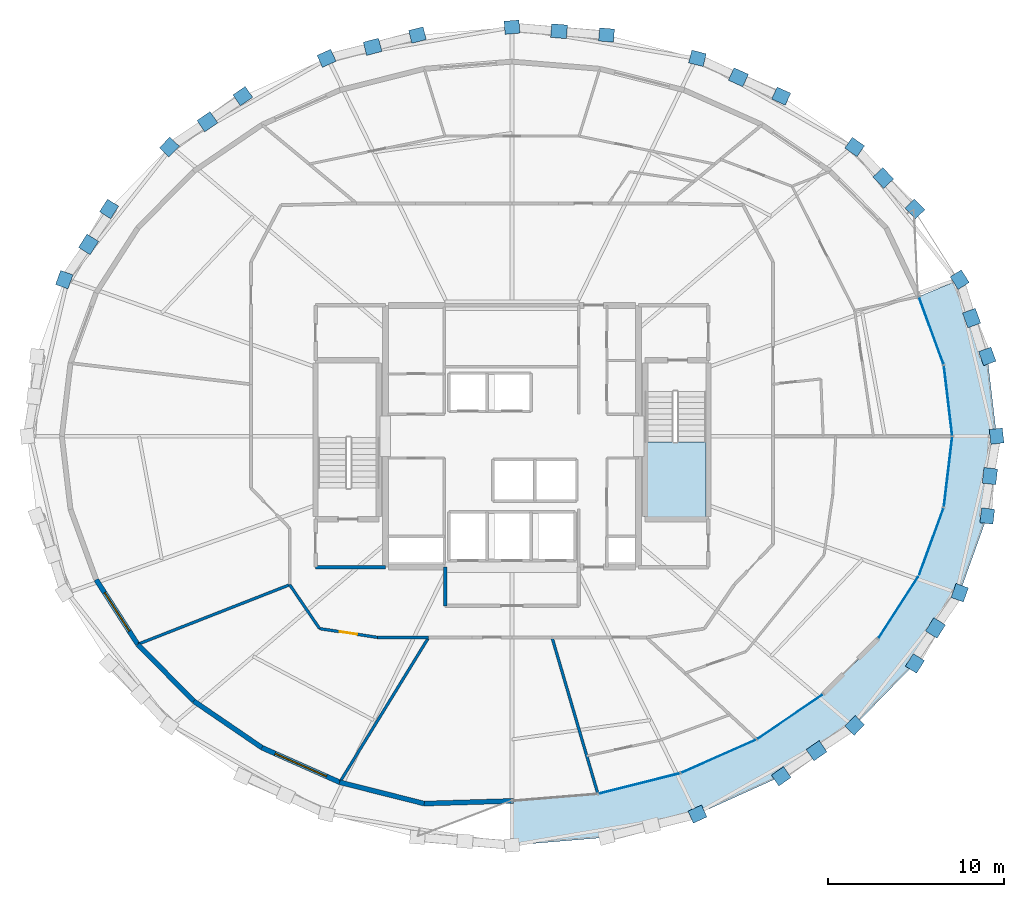
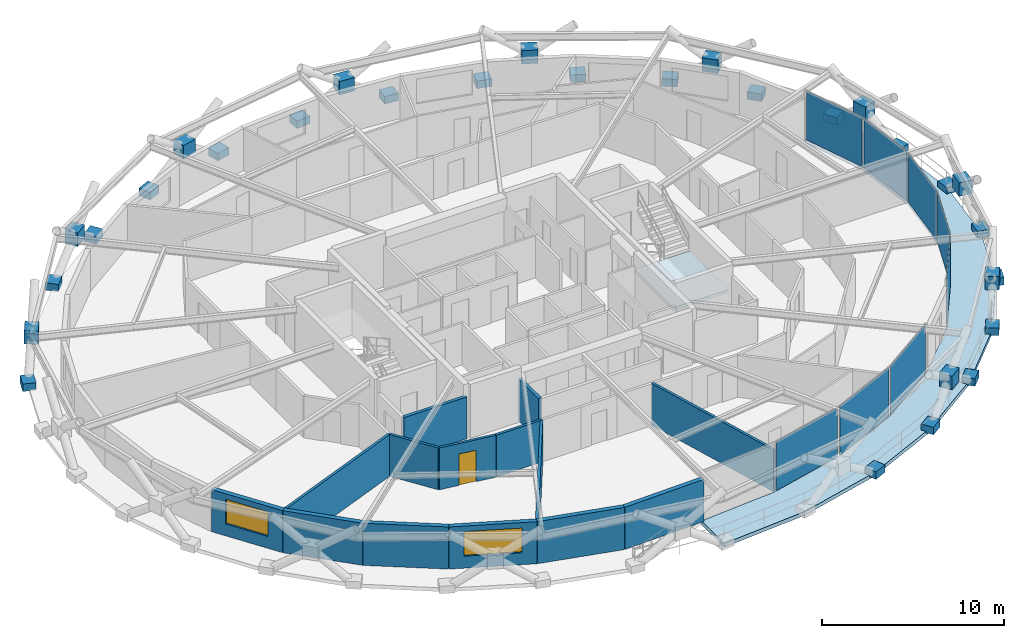
# One storey, part 10 of 15: 39 plates, 14 walls, 2 slabs, 2 windows, 1 door, 3 openings, 3 elements without a shape of their own.
"""IFC4 building model written with IfcOpenShell, lengths in metres."""

from ifc_helpers import new_model, si_unit, direction, frame, frame_2d, origin, origin_2d, place, context, subcontext, project, spatial, polyline, rectangle, outline, extrude, material, layer, layer_set, type_object, element, fill, aggregate, save


model = new_model("IFC4")

# Units and contexts
model_context = context("Model", 3, precision=1e-05, world=origin(), true_north=direction((0.0, 1.0)))
body_context = subcontext(model_context, "Body", "Model", "MODEL_VIEW")
ifc_project = project(units=[si_unit("LENGTHUNIT", "METRE"), si_unit("AREAUNIT", "SQUARE_METRE"), si_unit("VOLUMEUNIT", "CUBIC_METRE"), si_unit("PLANEANGLEUNIT", "RADIAN"), si_unit("MASSUNIT", "GRAM", prefix="KILO")], contexts=[model_context])

# Site, building, storey
site_placement = place(None, origin())
site = spatial("IfcSite", under=ifc_project, at=site_placement, CompositionType="ELEMENT")
building_placement = place(site_placement, origin())
building = spatial("IfcBuilding", under=site, at=building_placement, Name="Veldorina Hangang Commons", CompositionType="ELEMENT")
storey_placement = place(building_placement, frame((0.0, 0.0, 182.0)))
storey = spatial("IfcBuildingStorey", under=building, at=storey_placement, Name="L47", CompositionType="ELEMENT", Elevation=182.0)

# Curtain wall, plates
ifc_material_1 = material(Name="Glass Low-E Triple IGU", Category="glass")
ifc_layer_1 = layer(ifc_material_1, 0.179931640625)
ifc_layer_set_1 = layer_set([ifc_layer_1], Name="Glass Low-E Triple IGU")
curtain_wall_type = type_object("IfcCurtainWallType", Name="CW-SYS-Z2", PredefinedType="NOTDEFINED", material=ifc_layer_set_1)
curtain_wall_1_placement = place(storey_placement, origin())
curtain_wall_1 = element("IfcCurtainWall", 1, at=curtain_wall_1_placement, inside=storey, type_object=curtain_wall_type, Name="L47 unitised curtain wall CW-L47-R1", PredefinedType="NOTDEFINED")
ifc_layer_2 = layer(ifc_material_1, 0.0400390625)
ifc_layer_set_2 = layer_set([ifc_layer_2], Name="Glass Low-E Triple IGU")
plate_type_1 = type_object("IfcPlateType", Name="CW-PNL-VIS", PredefinedType="CURTAIN_PANEL", material=ifc_layer_set_2)
plate_1_placement = place(storey_placement, frame((39.23828125, 4.2333984375, 0.01513671875), z_axis=(0.0, 0.0, 1.0), x_axis=(0.969850752171, 0.243699648158, 0.0)))
plate_1 = element("IfcPlate", 2, at=plate_1_placement, type_object=plate_type_1, Name="CW-L47-R1 facet 2 glazed vision panel", PredefinedType="CURTAIN_PANEL", context=body_context, shape_type="SweptSolid", body=[
    extrude(rectangle(XDim=4.66650390625, YDim=0.0400390625, at=origin_2d()), origin(), (0.0, 0.0, 1.0), 3.280029296875),
])
plate_2_placement = place(storey_placement, frame((43.75439453125, 5.783203125, 0.01513671875), z_axis=(0.0, 0.0, 1.0), x_axis=(0.914374122918, 0.404870304341, 0.0)))
plate_2 = element("IfcPlate", 3, at=plate_2_placement, type_object=plate_type_1, Name="CW-L47-R1 facet 3 glazed vision panel", PredefinedType="CURTAIN_PANEL", context=body_context, shape_type="SweptSolid", body=[
    extrude(rectangle(XDim=4.5576171875, YDim=0.0400390625, at=origin_2d()), origin(), (0.0, 0.0, 1.0), 3.280029296875),
])
plate_3_placement = place(storey_placement, frame((47.819091796875, 8.03271484375, 0.01513671875), z_axis=(0.0, 0.0, 1.0), x_axis=(0.826992272221, 0.56221328843, 0.0)))
plate_3 = element("IfcPlate", 4, at=plate_3_placement, type_object=plate_type_1, Name="CW-L47-R1 facet 4 glazed vision panel", PredefinedType="CURTAIN_PANEL", context=body_context, shape_type="SweptSolid", body=[
    extrude(rectangle(XDim=4.4111328125, YDim=0.0400390625, at=origin_2d()), origin(), (0.0, 0.0, 1.0), 3.280029296875),
])
aggregate(curtain_wall_1, [plate_1, plate_2, plate_3])

curtain_wall_2_placement = place(storey_placement, origin())
curtain_wall_2 = element("IfcCurtainWall", 5, at=curtain_wall_2_placement, inside=storey, type_object=curtain_wall_type, Name="L47 unitised curtain wall CW-L47-R2", PredefinedType="NOTDEFINED")
plate_4_placement = place(storey_placement, frame((53.9912109375, 14.262939453125, 0.01513671875), z_axis=(0.0, 0.0, 1.0), x_axis=(0.542177586725, 0.840263925474, 0.0)))
plate_4 = element("IfcPlate", 6, at=plate_4_placement, type_object=plate_type_1, Name="CW-L47-R2 facet 1 glazed vision panel", PredefinedType="CURTAIN_PANEL", context=body_context, shape_type="SweptSolid", body=[
    extrude(rectangle(XDim=4.090576171875, YDim=0.0400390625, at=origin_2d()), origin(), (0.0, 0.0, 1.0), 3.280029296875),
])
plate_5_placement = place(storey_placement, frame((55.86181640625, 18.00390625, 0.01513671875), z_axis=(0.0, 0.0, 1.0), x_axis=(0.343889148338, 0.939010252157, 0.0)))
plate_5 = element("IfcPlate", 7, at=plate_5_placement, type_object=plate_type_1, Name="CW-L47-R2 facet 2 glazed vision panel", PredefinedType="CURTAIN_PANEL", context=body_context, shape_type="SweptSolid", body=[
    extrude(rectangle(XDim=3.966552734375, YDim=0.0400390625, at=origin_2d()), origin(), (0.0, 0.0, 1.0), 3.280029296875),
])
plate_6_placement = place(storey_placement, frame((56.8154296875, 21.975341796875, 0.01513671875), z_axis=(0.0, 0.0, 1.0), x_axis=(0.11805735075, 0.993006778393, 0.0)))
plate_6 = element("IfcPlate", 8, at=plate_6_placement, type_object=plate_type_1, Name="CW-L47-R2 facet 3 glazed vision panel", PredefinedType="CURTAIN_PANEL", context=body_context, shape_type="SweptSolid", body=[
    extrude(rectangle(XDim=3.897705078125, YDim=0.0400390625, at=origin_2d()), origin(), (0.0, 0.0, 1.0), 3.280029296875),
])
plate_7_placement = place(storey_placement, frame((56.8154296875, 26.024658203125, 0.01513671875), z_axis=(0.0, 0.0, 1.0), x_axis=(-0.11805735075, 0.993006778393, 0.0)))
plate_7 = element("IfcPlate", 9, at=plate_7_placement, type_object=plate_type_1, Name="CW-L47-R2 facet 4 glazed vision panel", PredefinedType="CURTAIN_PANEL", context=body_context, shape_type="SweptSolid", body=[
    extrude(rectangle(XDim=3.897705078125, YDim=0.0400390625, at=origin_2d()), origin(), (0.0, 0.0, 1.0), 3.280029296875),
])
plate_8_placement = place(storey_placement, frame((55.86181640625, 29.99609375, 0.01513671875), z_axis=(0.0, 0.0, 1.0), x_axis=(-0.343889148338, 0.939010252157, 0.0)))
plate_8 = element("IfcPlate", 10, at=plate_8_placement, type_object=plate_type_1, Name="CW-L47-R2 facet 5 glazed vision panel", PredefinedType="CURTAIN_PANEL", context=body_context, shape_type="SweptSolid", body=[
    extrude(rectangle(XDim=3.966552734375, YDim=0.0400390625, at=origin_2d()), origin(), (0.0, 0.0, 1.0), 3.280029296875),
])
aggregate(curtain_wall_2, [plate_4, plate_5, plate_6, plate_7, plate_8])

# Plates
ifc_material_2 = material(Name="Steel SM460-TMC", Category="steel")
ifc_layer_3 = layer(ifc_material_2, 0.035888671875)
ifc_layer_set_3 = layer_set([ifc_layer_3], Name="Steel SM460-TMC")
plate_type_2 = type_object("IfcPlateType", Name="PL-STAR-36", PredefinedType="USERDEFINED", material=ifc_layer_set_3)
for number, where, z_axis, x_axis, name in (
    (11, (59.576171875, 24.0, -0.090087890625), (0.0, 0.0, 1.0), (-0.115908002465, 0.993259953368, 0.0), "L47 diagrid star-node gusset plate 00"),
    (12, (59.04638671875, 28.541015625, -0.090087890625), (0.0, 0.0, 1.0), (-0.33819595567, 0.941075711921, 0.0), "L47 diagrid star-node gusset plate 01"),
):
    element("IfcPlate", number, at=place(storey_placement, frame(where, z_axis=z_axis, x_axis=x_axis)), inside=storey, type_object=plate_type_2, Name=name, ObjectType="GUSSET PLATE", PredefinedType="USERDEFINED", context=body_context, shape_type="SweptSolid", body=[
        extrude(rectangle(XDim=0.85009765625, YDim=0.75, at=origin_2d()), origin(), (0.0, 0.0, 1.0), 0.5),
    ])
plate_9_placement = place(storey_placement, frame((58.153564453125, 30.723388671875, 1.351318359375), z_axis=(0.0, 0.0, 1.0), x_axis=(-0.33819595567, 0.941075711921, 0.0)))
element("IfcPlate", 13, at=plate_9_placement, inside=storey, type_object=plate_type_2, Name="L47 diagrid X-crossing star-node gusset plate 01", ObjectType="GUSSET PLATE", PredefinedType="USERDEFINED", context=body_context, shape_type="SweptSolid", body=[
    extrude(rectangle(XDim=0.89990234375, YDim=0.780029296875, at=origin_2d()), origin(), (0.0, 0.0, 1.0), 0.89990234375),
])
for number, where, z_axis, x_axis, name in (
    (14, (57.47705078125, 32.9072265625, -0.090087890625), (0.0, 0.0, 1.0), (-0.535016051605, 0.844841893211, 0.0), "L47 diagrid star-node gusset plate 02"),
    (15, (54.9287109375, 36.931396484375, -0.090087890625), (0.0, 0.0, 1.0), (-0.697102537947, 0.716971444053, 0.0), "L47 diagrid star-node gusset plate 03"),
):
    element("IfcPlate", number, at=place(storey_placement, frame(where, z_axis=z_axis, x_axis=x_axis)), inside=storey, type_object=plate_type_2, Name=name, ObjectType="GUSSET PLATE", PredefinedType="USERDEFINED", context=body_context, shape_type="SweptSolid", body=[
        extrude(rectangle(XDim=0.85009765625, YDim=0.75, at=origin_2d()), origin(), (0.0, 0.0, 1.0), 0.5),
    ])
plate_10_placement = place(storey_placement, frame((53.127685546875, 38.6943359375, 1.35400390625), z_axis=(0.0, 0.0, 1.0), x_axis=(-0.697102537947, 0.716971444053, 0.0)))
element("IfcPlate", 16, at=plate_10_placement, inside=storey, type_object=plate_type_2, Name="L47 diagrid X-crossing star-node gusset plate 03", ObjectType="GUSSET PLATE", PredefinedType="USERDEFINED", context=body_context, shape_type="SweptSolid", body=[
    extrude(rectangle(XDim=0.89990234375, YDim=0.780029296875, at=origin_2d()), origin(), (0.0, 0.0, 1.0), 0.89990234375),
])
for number, where, z_axis, x_axis, name in (
    (17, (51.499267578125, 40.45849609375, -0.090087890625), (0.0, 0.0, 1.0), (-0.822044670489, 0.569423005964, 0.0), "L47 diagrid star-node gusset plate 04"),
    (18, (47.320556640625, 43.35302734375, -0.090087890625), (0.0, 0.0, 1.0), (-0.911525335284, 0.4112439217, 0.0), "L47 diagrid star-node gusset plate 05"),
):
    element("IfcPlate", number, at=place(storey_placement, frame(where, z_axis=z_axis, x_axis=x_axis)), inside=storey, type_object=plate_type_2, Name=name, ObjectType="GUSSET PLATE", PredefinedType="USERDEFINED", context=body_context, shape_type="SweptSolid", body=[
        extrude(rectangle(XDim=0.85009765625, YDim=0.75, at=origin_2d()), origin(), (0.0, 0.0, 1.0), 0.5),
    ])
plate_11_placement = place(storey_placement, frame((44.883544921875, 44.4267578125, 1.3564453125), z_axis=(0.0, 0.0, 1.0), x_axis=(-0.911525335284, 0.4112439217, 0.0)))
element("IfcPlate", 19, at=plate_11_placement, inside=storey, type_object=plate_type_2, Name="L47 diagrid X-crossing star-node gusset plate 05", ObjectType="GUSSET PLATE", PredefinedType="USERDEFINED", context=body_context, shape_type="SweptSolid", body=[
    extrude(rectangle(XDim=0.89990234375, YDim=0.780029296875, at=origin_2d()), origin(), (0.0, 0.0, 1.0), 0.89990234375),
])
for number, where, z_axis, x_axis, name in (
    (20, (42.552978515625, 45.50390625, -0.090087890625), (0.0, 0.0, 1.0), (-0.968747885472, 0.248047443837, 0.0), "L47 diagrid star-node gusset plate 06"),
    (21, (37.3798828125, 46.82861328125, -0.090087890625), (0.0, 0.0, 1.0), (-0.996562611339, 0.08284299416, 0.0), "L47 diagrid star-node gusset plate 07"),
):
    element("IfcPlate", number, at=place(storey_placement, frame(where, z_axis=z_axis, x_axis=x_axis)), inside=storey, type_object=plate_type_2, Name=name, ObjectType="GUSSET PLATE", PredefinedType="USERDEFINED", context=body_context, shape_type="SweptSolid", body=[
        extrude(rectangle(XDim=0.85009765625, YDim=0.75, at=origin_2d()), origin(), (0.0, 0.0, 1.0), 0.5),
    ])
plate_12_placement = place(storey_placement, frame((34.6787109375, 47.047119140625, 1.357666015625), z_axis=(0.0, 0.0, 1.0), x_axis=(-0.996562611339, 0.08284299416, 0.0)))
element("IfcPlate", 22, at=plate_12_placement, inside=storey, type_object=plate_type_2, Name="L47 diagrid X-crossing star-node gusset plate 07", ObjectType="GUSSET PLATE", PredefinedType="USERDEFINED", context=body_context, shape_type="SweptSolid", body=[
    extrude(rectangle(XDim=0.89990234375, YDim=0.780029296875, at=origin_2d()), origin(), (0.0, 0.0, 1.0), 0.89990234375),
])
for number, where, z_axis, x_axis, name in (
    (23, (32.0, 47.27587890625, -0.090087890625), (0.0, 0.0, 1.0), (-0.996562611339, -0.08284299416, 0.0), "L47 diagrid star-node gusset plate 08"),
    (24, (26.6201171875, 46.82861328125, -0.090087890625), (0.0, 0.0, 1.0), (-0.968747885472, -0.248047443837, 0.0), "L47 diagrid star-node gusset plate 09"),
):
    element("IfcPlate", number, at=place(storey_placement, frame(where, z_axis=z_axis, x_axis=x_axis)), inside=storey, type_object=plate_type_2, Name=name, ObjectType="GUSSET PLATE", PredefinedType="USERDEFINED", context=body_context, shape_type="SweptSolid", body=[
        extrude(rectangle(XDim=0.85009765625, YDim=0.75, at=origin_2d()), origin(), (0.0, 0.0, 1.0), 0.5),
    ])
plate_13_placement = place(storey_placement, frame((24.068115234375, 46.157958984375, 1.357177734375), z_axis=(0.0, 0.0, 1.0), x_axis=(-0.968747885472, -0.248047443837, 0.0)))
element("IfcPlate", 25, at=plate_13_placement, inside=storey, type_object=plate_type_2, Name="L47 diagrid X-crossing star-node gusset plate 09", ObjectType="GUSSET PLATE", PredefinedType="USERDEFINED", context=body_context, shape_type="SweptSolid", body=[
    extrude(rectangle(XDim=0.89990234375, YDim=0.780029296875, at=origin_2d()), origin(), (0.0, 0.0, 1.0), 0.89990234375),
])
for number, where, z_axis, x_axis, name in (
    (26, (21.447021484375, 45.50390625, -0.090087890625), (0.0, 0.0, 1.0), (-0.911525335284, -0.4112439217, 0.0), "L47 diagrid star-node gusset plate 10"),
    (27, (16.679443359375, 43.35302734375, -0.090087890625), (0.0, 0.0, 1.0), (-0.822044670489, -0.569423005964, 0.0), "L47 diagrid star-node gusset plate 11"),
):
    element("IfcPlate", number, at=place(storey_placement, frame(where, z_axis=z_axis, x_axis=x_axis)), inside=storey, type_object=plate_type_2, Name=name, ObjectType="GUSSET PLATE", PredefinedType="USERDEFINED", context=body_context, shape_type="SweptSolid", body=[
        extrude(rectangle(XDim=0.85009765625, YDim=0.75, at=origin_2d()), origin(), (0.0, 0.0, 1.0), 0.5),
    ])
plate_14_placement = place(storey_placement, frame((14.66650390625, 41.897216796875, 1.35546875), z_axis=(0.0, 0.0, 1.0), x_axis=(-0.822044670489, -0.569423005964, 0.0)))
element("IfcPlate", 28, at=plate_14_placement, inside=storey, type_object=plate_type_2, Name="L47 diagrid X-crossing star-node gusset plate 11", ObjectType="GUSSET PLATE", PredefinedType="USERDEFINED", context=body_context, shape_type="SweptSolid", body=[
    extrude(rectangle(XDim=0.89990234375, YDim=0.780029296875, at=origin_2d()), origin(), (0.0, 0.0, 1.0), 0.89990234375),
])
for number, where, z_axis, x_axis, name in (
    (29, (12.500732421875, 40.45849609375, -0.090087890625), (0.0, 0.0, 1.0), (-0.697102537947, -0.716971444053, 0.0), "L47 diagrid star-node gusset plate 12"),
    (30, (9.0712890625, 36.931396484375, -0.090087890625), (0.0, 0.0, 1.0), (-0.535016051605, -0.844841893211, 0.0), "L47 diagrid star-node gusset plate 13"),
):
    element("IfcPlate", number, at=place(storey_placement, frame(where, z_axis=z_axis, x_axis=x_axis)), inside=storey, type_object=plate_type_2, Name=name, ObjectType="GUSSET PLATE", PredefinedType="USERDEFINED", context=body_context, shape_type="SweptSolid", body=[
        extrude(rectangle(XDim=0.85009765625, YDim=0.75, at=origin_2d()), origin(), (0.0, 0.0, 1.0), 0.5),
    ])
plate_15_placement = place(storey_placement, frame((7.903076171875, 34.914306640625, 1.3525390625), z_axis=(0.0, 0.0, 1.0), x_axis=(-0.535016051605, -0.844841893211, 0.0)))
element("IfcPlate", 31, at=plate_15_placement, inside=storey, type_object=plate_type_2, Name="L47 diagrid X-crossing star-node gusset plate 13", ObjectType="GUSSET PLATE", PredefinedType="USERDEFINED", context=body_context, shape_type="SweptSolid", body=[
    extrude(rectangle(XDim=0.89990234375, YDim=0.780029296875, at=origin_2d()), origin(), (0.0, 0.0, 1.0), 0.89990234375),
])
for number, where, z_axis, x_axis, name in (
    (32, (6.52294921875, 32.9072265625, -0.090087890625), (0.0, 0.0, 1.0), (-0.33819595567, -0.941075711921, 0.0), "L47 diagrid star-node gusset plate 14"),
    (33, (42.552978515625, 2.49609375, -0.090087890625), (0.0, 0.0, 1.0), (0.911525335284, 0.4112439217, 0.0), "L47 diagrid star-node gusset plate 26"),
    (34, (47.320556640625, 4.64697265625, -0.090087890625), (0.0, 0.0, 1.0), (0.822044670489, 0.569423005964, 0.0), "L47 diagrid star-node gusset plate 27"),
):
    element("IfcPlate", number, at=place(storey_placement, frame(where, z_axis=z_axis, x_axis=x_axis)), inside=storey, type_object=plate_type_2, Name=name, ObjectType="GUSSET PLATE", PredefinedType="USERDEFINED", context=body_context, shape_type="SweptSolid", body=[
        extrude(rectangle(XDim=0.85009765625, YDim=0.75, at=origin_2d()), origin(), (0.0, 0.0, 1.0), 0.5),
    ])
plate_16_placement = place(storey_placement, frame((49.33349609375, 6.102783203125, 1.35546875), z_axis=(0.0, 0.0, 1.0), x_axis=(0.822044670489, 0.569423005964, 0.0)))
element("IfcPlate", 35, at=plate_16_placement, inside=storey, type_object=plate_type_2, Name="L47 diagrid X-crossing star-node gusset plate 27", ObjectType="GUSSET PLATE", PredefinedType="USERDEFINED", context=body_context, shape_type="SweptSolid", body=[
    extrude(rectangle(XDim=0.89990234375, YDim=0.780029296875, at=origin_2d()), origin(), (0.0, 0.0, 1.0), 0.89990234375),
])
for number, where, z_axis, x_axis, name in (
    (36, (51.499267578125, 7.54150390625, -0.090087890625), (0.0, 0.0, 1.0), (0.697102537947, 0.716971444053, 0.0), "L47 diagrid star-node gusset plate 28"),
    (37, (54.9287109375, 11.068603515625, -0.090087890625), (0.0, 0.0, 1.0), (0.535016051605, 0.844841893211, 0.0), "L47 diagrid star-node gusset plate 29"),
):
    element("IfcPlate", number, at=place(storey_placement, frame(where, z_axis=z_axis, x_axis=x_axis)), inside=storey, type_object=plate_type_2, Name=name, ObjectType="GUSSET PLATE", PredefinedType="USERDEFINED", context=body_context, shape_type="SweptSolid", body=[
        extrude(rectangle(XDim=0.85009765625, YDim=0.75, at=origin_2d()), origin(), (0.0, 0.0, 1.0), 0.5),
    ])
plate_17_placement = place(storey_placement, frame((56.096923828125, 13.085693359375, 1.3525390625), z_axis=(0.0, 0.0, 1.0), x_axis=(0.535016051605, 0.844841893211, 0.0)))
element("IfcPlate", 38, at=plate_17_placement, inside=storey, type_object=plate_type_2, Name="L47 diagrid X-crossing star-node gusset plate 29", ObjectType="GUSSET PLATE", PredefinedType="USERDEFINED", context=body_context, shape_type="SweptSolid", body=[
    extrude(rectangle(XDim=0.89990234375, YDim=0.780029296875, at=origin_2d()), origin(), (0.0, 0.0, 1.0), 0.89990234375),
])
for number, where, z_axis, x_axis, name in (
    (39, (57.47705078125, 15.0927734375, -0.090087890625), (0.0, 0.0, 1.0), (0.33819595567, 0.941075711921, 0.0), "L47 diagrid star-node gusset plate 30"),
    (40, (59.04638671875, 19.458984375, -0.090087890625), (0.0, 0.0, 1.0), (0.115908002465, 0.993259953368, 0.0), "L47 diagrid star-node gusset plate 31"),
):
    element("IfcPlate", number, at=place(storey_placement, frame(where, z_axis=z_axis, x_axis=x_axis)), inside=storey, type_object=plate_type_2, Name=name, ObjectType="GUSSET PLATE", PredefinedType="USERDEFINED", context=body_context, shape_type="SweptSolid", body=[
        extrude(rectangle(XDim=0.85009765625, YDim=0.75, at=origin_2d()), origin(), (0.0, 0.0, 1.0), 0.5),
    ])
plate_18_placement = place(storey_placement, frame((59.19482421875, 21.730224609375, 1.3505859375), z_axis=(0.0, 0.0, 1.0), x_axis=(0.115908002465, 0.993259953368, 0.0)))
element("IfcPlate", 41, at=plate_18_placement, inside=storey, type_object=plate_type_2, Name="L47 diagrid X-crossing star-node gusset plate 31", ObjectType="GUSSET PLATE", PredefinedType="USERDEFINED", context=body_context, shape_type="SweptSolid", body=[
    extrude(rectangle(XDim=0.89990234375, YDim=0.780029296875, at=origin_2d()), origin(), (0.0, 0.0, 1.0), 0.89990234375),
])

# Slab
ifc_material_3 = material(Name="Concrete C40/50", Category="concrete")
ifc_layer_4 = layer(ifc_material_3, 0.25)
ifc_layer_set_4 = layer_set([ifc_layer_4], Name="Concrete C40/50")
slab_type_1 = type_object("IfcSlabType", Name="SL-FLR-250", PredefinedType="FLOOR", material=ifc_layer_set_4)
slab_1_placement = place(storey_placement, frame((0.0, 0.0, -0.25)))
element("IfcSlab", 42, at=slab_1_placement, inside=storey, type_object=slab_type_1, Name="L47 sky-garden loggia outdoor slab", PredefinedType="FLOOR", context=body_context, shape_type="SweptSolid", body=[
    extrude(outline(polyline([(57.47705078125, 32.9072265625), (59.04638671875, 28.541015625), (59.576171875, 24.0), (59.04638671875, 19.458984375), (57.47705078125, 15.0927734375), (54.9287109375, 11.068603515625), (51.499267578125, 7.54150390625), (47.320556640625, 4.64697265625), (42.552978515625, 2.49609375), (37.3798828125, 1.17138671875), (32.0, 0.72412109375), (32.0, 3.22802734375), (32.00341796875, 3.2294921875), (36.889404296875, 3.6279296875), (36.890625, 3.628173828125), (36.891845703125, 3.62841796875), (41.59228515625, 4.8095703125), (41.593505859375, 4.809814453125), (41.5947265625, 4.810302734375), (45.926513671875, 6.728515625), (45.927734375, 6.72900390625), (45.928955078125, 6.729736328125), (49.725830078125, 9.31103515625), (49.72705078125, 9.31201171875), (49.72802734375, 9.312744140625), (52.84423828125, 12.4580078125), (52.84521484375, 12.459228515625), (52.84619140625, 12.460693359375), (55.16162109375, 16.049072265625), (55.162353515625, 16.05029296875), (55.1630859375, 16.052001953125), (56.5888671875, 19.945556640625), (56.58935546875, 19.947265625), (56.589599609375, 19.948974609375), (57.071044921875, 23.998291015625), (57.0712890625, 24.0), (57.071044921875, 24.001708984375), (56.589599609375, 28.051025390625), (56.58935546875, 28.052734375), (56.5888671875, 28.054443359375), (55.163818359375, 31.94580078125), (55.16357421875, 31.948974609375), (57.47705078125, 32.9072265625)])), origin(), (0.0, 0.0, 1.0), 0.25),
])

# Stair, slab
stair_type = type_object("IfcStairType", Name="STR-DOG-1650-20R", PredefinedType="HALF_TURN_STAIR", material=ifc_material_3)
stair_placement = place(storey_placement, origin())
stair = element("IfcStair", 43, at=stair_placement, inside=storey, type_object=stair_type, Name="L47 Exit stair ST-2", PredefinedType="HALF_TURN_STAIR")
ifc_layer_5 = layer(ifc_material_3, 0.199951171875)
ifc_layer_set_5 = layer_set([ifc_layer_5], Name="Concrete C40/50")
slab_type_2 = type_object("IfcSlabType", Name="SL-LND-200", PredefinedType="LANDING", material=ifc_layer_set_5)
slab_2_placement = place(storey_placement, frame((0.0, 0.0, 1.60009765625)))
slab_2 = element("IfcSlab", 44, at=slab_2_placement, type_object=slab_type_2, Name="ST-2 landing 1", PredefinedType="LANDING", context=body_context, shape_type="SweptSolid", body=[
    extrude(outline(polyline([(39.550048828125, 23.669921875), (39.550048828125, 19.39990234375), (43.050048828125, 19.39990234375), (43.050048828125, 23.669921875), (39.550048828125, 23.669921875)])), origin(), (0.0, 0.0, 1.0), 0.199951171875),
])
aggregate(stair, [slab_2])

# Wall, opening, window
ifc_material_4 = material(Name="Stone Roman Travertine", Category="masonry")
ifc_layer_6 = layer(ifc_material_4, 0.280029296875)
ifc_layer_set_6 = layer_set([ifc_layer_6], Name="Stone Roman Travertine")
wall_type_1 = type_object("IfcWallType", Name="EW-TRAV-280", PredefinedType="STANDARD", material=ifc_layer_set_6)
wall_1_placement = place(storey_placement, frame((8.333740234375, 15.8427734375, 0.0), z_axis=(0.0, 0.0, 1.0), x_axis=(0.54047019892, -0.841363158261, 0.0)))
wall_1 = element("IfcWall", 45, at=wall_1_placement, inside=storey, type_object=wall_type_1, Name="L47 travertine facade wall 18", PredefinedType="STANDARD", context=body_context, shape_type="SweptSolid", body=[
    extrude(rectangle(XDim=4.3798828125, YDim=0.280029296875, at=frame_2d((2.18994140625, 0.0))), origin(), (0.0, 0.0, 1.0), 2.820068359375),
])
opening_1_placement = place(wall_1_placement, frame((0.889892578125, 0.0, 0.800048828125)))
opening_1 = element("IfcOpeningElement", 46, at=opening_1_placement, cuts=wall_1, Name="Opening W-02", PredefinedType="OPENING", context=body_context, shape_type="SweptSolid", body=[
    extrude(rectangle(XDim=2.60009765625, YDim=1.64990234375, at=frame_2d((1.300048828125, 0.824951171875))), frame((0.0, 0.14990234375, 0.0), z_axis=(0.0, -1.0, 0.0), x_axis=(1.0, 0.0, 0.0)), (0.0, 0.0, 1.0), 0.300048828125),
])
window_type_1 = type_object("IfcWindowType", Name="WIN-TWR-2600", PartitioningType="SINGLE_PANEL", PredefinedType="WINDOW", material=ifc_material_1)
window_1_placement = place(opening_1_placement, origin())
window_1 = element("IfcWindow", 47, at=window_1_placement, inside=storey, type_object=window_type_1, Name="L47 facade window 18", OverallHeight=1.64990234375, OverallWidth=2.60009765625, PartitioningType="SINGLE_PANEL", PredefinedType="WINDOW", context=body_context, shape_type="SweptSolid", body=[
    extrude(rectangle(XDim=2.60009765625, YDim=1.64990234375, at=frame_2d((1.300048828125, 0.824951171875))), frame((0.0, 0.030029296875, 0.0), z_axis=(0.0, -1.0, 0.0), x_axis=(1.0, 0.0, 0.0)), (0.0, 0.0, 1.0), 0.06005859375),
])
fill(opening_1, window_1)

# Walls
wall_2_placement = place(storey_placement, frame((10.700927734375, 12.15771484375, 0.0), z_axis=(0.0, 0.0, 1.0), x_axis=(0.70219293187, -0.711986717876, 0.0)))
element("IfcWall", 48, at=wall_2_placement, inside=storey, type_object=wall_type_1, Name="L47 travertine facade wall 19", PredefinedType="STANDARD", context=body_context, shape_type="SweptSolid", body=[
    extrude(rectangle(XDim=4.536865234375, YDim=0.280029296875, at=frame_2d((2.2685546875, 0.0))), origin(), (0.0, 0.0, 1.0), 2.820068359375),
])
wall_3_placement = place(storey_placement, frame((13.88671875, 8.927490234375, 0.0), z_axis=(0.0, 0.0, 1.0), x_axis=(0.825797441916, -0.563966829632, 0.0)))
element("IfcWall", 49, at=wall_3_placement, inside=storey, type_object=wall_type_1, Name="L47 travertine facade wall 20", PredefinedType="STANDARD", context=body_context, shape_type="SweptSolid", body=[
    extrude(rectangle(XDim=4.700439453125, YDim=0.280029296875, at=frame_2d((2.35009765625, 0.0))), origin(), (0.0, 0.0, 1.0), 2.820068359375),
])

# Wall, opening, window
wall_4_placement = place(storey_placement, frame((17.768310546875, 6.276611328125, 0.0), z_axis=(0.0, 0.0, 1.0), x_axis=(0.913703507389, -0.406381471754, 0.0)))
wall_4 = element("IfcWall", 50, at=wall_4_placement, inside=storey, type_object=wall_type_1, Name="L47 travertine facade wall 21", PredefinedType="STANDARD", context=body_context, shape_type="SweptSolid", body=[
    extrude(rectangle(XDim=4.846923828125, YDim=0.280029296875, at=frame_2d((2.42333984375, 0.0))), origin(), (0.0, 0.0, 1.0), 2.820068359375),
])
opening_2_placement = place(wall_4_placement, frame((0.823486328125, 0.0, 0.800048828125)))
opening_2 = element("IfcOpeningElement", 51, at=opening_2_placement, cuts=wall_4, Name="Opening W-01", PredefinedType="OPENING", context=body_context, shape_type="SweptSolid", body=[
    extrude(rectangle(XDim=3.199951171875, YDim=1.64990234375, at=frame_2d((1.60009765625, 0.824951171875))), frame((0.0, 0.14990234375, 0.0), z_axis=(0.0, -1.0, 0.0), x_axis=(1.0, 0.0, 0.0)), (0.0, 0.0, 1.0), 0.300048828125),
])
window_type_2 = type_object("IfcWindowType", Name="WIN-TWR-3200", PartitioningType="SINGLE_PANEL", PredefinedType="WINDOW", material=ifc_material_1)
window_2_placement = place(opening_2_placement, origin())
window_2 = element("IfcWindow", 52, at=window_2_placement, inside=storey, type_object=window_type_2, Name="L47 facade window 21", OverallHeight=1.64990234375, OverallWidth=3.199951171875, PartitioningType="SINGLE_PANEL", PredefinedType="WINDOW", context=body_context, shape_type="SweptSolid", body=[
    extrude(rectangle(XDim=3.199951171875, YDim=1.64990234375, at=frame_2d((1.60009765625, 0.824951171875))), frame((0.0, 0.030029296875, 0.0), z_axis=(0.0, -1.0, 0.0), x_axis=(1.0, 0.0, 0.0)), (0.0, 0.0, 1.0), 0.06005859375),
])
fill(opening_2, window_2)

# Walls
wall_5_placement = place(storey_placement, frame((22.197021484375, 4.306884765625, 0.0), z_axis=(0.0, 0.0, 1.0), x_axis=(0.96958067748, -0.244771954803, 0.0)))
element("IfcWall", 53, at=wall_5_placement, inside=storey, type_object=wall_type_1, Name="L47 travertine facade wall 22", PredefinedType="STANDARD", context=body_context, shape_type="SweptSolid", body=[
    extrude(rectangle(XDim=4.956298828125, YDim=0.280029296875, at=frame_2d((2.47802734375, 0.0))), origin(), (0.0, 0.0, 1.0), 2.820068359375),
])
wall_6_placement = place(storey_placement, frame((27.00244140625, 3.09375, 0.0), z_axis=(0.0, 0.0, 1.0), x_axis=(0.999546573707, 0.030110579378, 0.0)))
element("IfcWall", 54, at=wall_6_placement, inside=storey, type_object=wall_type_1, Name="L47 travertine facade wall 23", PredefinedType="STANDARD", context=body_context, shape_type="SweptSolid", body=[
    extrude(rectangle(XDim=5.091796875, YDim=0.280029296875, at=frame_2d((2.5458984375, 0.0))), origin(), (0.0, 0.0, 1.0), 2.820068359375),
])
ifc_material_5 = material(Name="Gypsum Fire-Rated Twin Stud Wall", Category="gypsum")
ifc_layer_7 = layer(ifc_material_5, 0.159912109375)
ifc_layer_set_7 = layer_set([ifc_layer_7], Name="Gypsum Fire-Rated Twin Stud Wall")
wall_type_2 = type_object("IfcWallType", Name="WL-FIRE-160", PredefinedType="SOLIDWALL", material=ifc_layer_set_7)
wall_7_placement = place(storey_placement, frame((19.35009765625, 15.547607421875, 0.0), z_axis=(0.0, 0.0, 1.0), x_axis=(0.562674669208, -0.826678423955, 0.0)))
element("IfcWall", 55, at=wall_7_placement, inside=storey, type_object=wall_type_2, Name="L47 U-corridor outer wall 19 065", PredefinedType="SOLIDWALL", context=body_context, shape_type="SweptSolid", body=[
    extrude(rectangle(XDim=3.021240234375, YDim=0.159912109375, at=frame_2d((1.5107421875, 0.0))), origin(), (0.0, 0.0, 1.0), 2.800048828125),
])

# Wall, opening, door
wall_8_placement = place(storey_placement, frame((21.050048828125, 13.050048828125, 0.0), z_axis=(0.0, 0.0, 1.0), x_axis=(0.988710906508, -0.149835721217, 0.0)))
wall_8 = element("IfcWall", 56, at=wall_8_placement, inside=storey, type_object=wall_type_2, Name="L47 U-corridor outer wall 20 066", PredefinedType="SOLIDWALL", context=body_context, shape_type="SweptSolid", body=[
    extrude(rectangle(XDim=3.3369140625, YDim=0.159912109375, at=frame_2d((1.66845703125, 0.0))), origin(), (0.0, 0.0, 1.0), 2.800048828125),
])
opening_3_placement = place(wall_8_placement, frame((1.16845703125, 0.0, 0.0)))
opening_3 = element("IfcOpeningElement", 57, at=opening_3_placement, cuts=wall_8, Name="Opening D-05", PredefinedType="OPENING", context=body_context, shape_type="SweptSolid", body=[
    extrude(rectangle(XDim=1.0, YDim=2.10009765625, at=frame_2d((0.5, 1.050048828125))), frame((0.0, 0.08984375, 0.0), z_axis=(0.0, -1.0, 0.0), x_axis=(1.0, 0.0, 0.0)), (0.0, 0.0, 1.0), 0.179931640625),
])
ifc_material_6 = material(Name="Timber Solid Core Acoustic", Category="wood")
door_type = type_object("IfcDoorType", Name="DR-INT-1000", OperationType="SINGLE_SWING_RIGHT", PredefinedType="DOOR", material=ifc_material_6)
door_placement = place(opening_3_placement, origin())
door = element("IfcDoor", 58, at=door_placement, inside=storey, type_object=door_type, Name="L47 Seminar Focus Room 6 door 032", OperationType="SINGLE_SWING_RIGHT", OverallHeight=2.10009765625, OverallWidth=1.0, PredefinedType="DOOR", context=body_context, shape_type="SweptSolid", body=[
    extrude(rectangle(XDim=1.0, YDim=2.10009765625, at=frame_2d((0.5, 1.050048828125))), frame((0.0, 0.02490234375, 0.0), z_axis=(0.0, -1.0, 0.0), x_axis=(1.0, 0.0, 0.0)), (0.0, 0.0, 1.0), 0.050048828125),
])
fill(opening_3, door)

# Walls
wall_9_placement = place(storey_placement, frame((24.349365234375, 12.550048828125, 0.0), z_axis=(0.0, 0.0, 1.0), x_axis=(1.0, 0.0, 0.0)))
element("IfcWall", 59, at=wall_9_placement, inside=storey, type_object=wall_type_2, Name="L47 U-corridor outer wall 21 067", PredefinedType="SOLIDWALL", context=body_context, shape_type="SweptSolid", body=[
    extrude(rectangle(XDim=2.907958984375, YDim=0.159912109375, at=frame_2d((1.4541015625, 0.0))), origin(), (0.0, 0.0, 1.0), 2.800048828125),
])
wall_10_placement = place(storey_placement, frame((19.35009765625, 15.547607421875, 0.0), z_axis=(0.0, 0.0, 1.0), x_axis=(-0.931036402204, -0.364926318278, 0.0)))
element("IfcWall", 60, at=wall_10_placement, inside=storey, type_object=wall_type_2, Name="L47 Unit party wall 19 102", PredefinedType="SOLIDWALL", context=body_context, shape_type="SweptSolid", body=[
    extrude(rectangle(XDim=9.23974609375, YDim=0.159912109375, at=frame_2d((4.619873046875, 0.0))), origin(), (0.0, 0.0, 1.0), 2.800048828125),
])
wall_11_placement = place(storey_placement, frame((27.25732421875, 12.550048828125, 0.0), z_axis=(0.0, 0.0, 1.0), x_axis=(-0.523144397067, -0.85224406118, 0.0)))
element("IfcWall", 61, at=wall_11_placement, inside=storey, type_object=wall_type_2, Name="L47 Unit party wall 22 103", PredefinedType="SOLIDWALL", context=body_context, shape_type="SweptSolid", body=[
    extrude(rectangle(XDim=9.62255859375, YDim=0.159912109375, at=frame_2d((4.811279296875, 0.0))), origin(), (0.0, 0.0, 1.0), 2.800048828125),
])
wall_12_placement = place(storey_placement, frame((34.277587890625, 12.550048828125, 0.0), z_axis=(0.0, 0.0, 1.0), x_axis=(0.281249860715, -0.959634574121, 0.0)))
element("IfcWall", 62, at=wall_12_placement, inside=storey, type_object=wall_type_2, Name="L47 Unit party wall 25 104", PredefinedType="SOLIDWALL", context=body_context, shape_type="SweptSolid", body=[
    extrude(rectangle(XDim=9.231689453125, YDim=0.159912109375, at=frame_2d((4.61572265625, 0.0))), origin(), (0.0, 0.0, 1.0), 2.800048828125),
])
ifc_material_7 = material(Name="Concrete Blockwork Fire Wall C30/37", Category="masonry")
ifc_layer_8 = layer(ifc_material_7, 0.199951171875)
ifc_layer_set_8 = layer_set([ifc_layer_8], Name="Concrete Blockwork Fire Wall C30/37")
wall_type_3 = type_object("IfcWallType", Name="WL-FIRE-200", PredefinedType="SOLIDWALL", material=ifc_layer_set_8)
wall_13_placement = place(storey_placement, frame((20.820068359375, 16.550048828125, 0.0), z_axis=(0.0, 0.0, 1.0), x_axis=(1.0, 0.0, 0.0)))
element("IfcWall", 63, at=wall_13_placement, inside=storey, type_object=wall_type_3, Name="L47 West vestibule south wall 002", PredefinedType="SOLIDWALL", context=body_context, shape_type="SweptSolid", body=[
    extrude(rectangle(XDim=3.97998046875, YDim=0.199951171875, at=frame_2d((1.989990234375, 0.0))), origin(), (0.0, 0.0, 1.0), 2.800048828125),
])
wall_14_placement = place(storey_placement, frame((28.199951171875, 14.35009765625, 0.0), z_axis=(0.0, 0.0, 1.0), x_axis=(0.0, 1.0, 0.0)))
element("IfcWall", 64, at=wall_14_placement, inside=storey, type_object=wall_type_3, Name="L47 FF lobby west wall 012", PredefinedType="SOLIDWALL", context=body_context, shape_type="SweptSolid", body=[
    extrude(rectangle(XDim=2.199951171875, YDim=0.199951171875, at=frame_2d((1.10009765625, 0.0))), origin(), (0.0, 0.0, 1.0), 2.800048828125),
])

save(model, "model.ifc")
